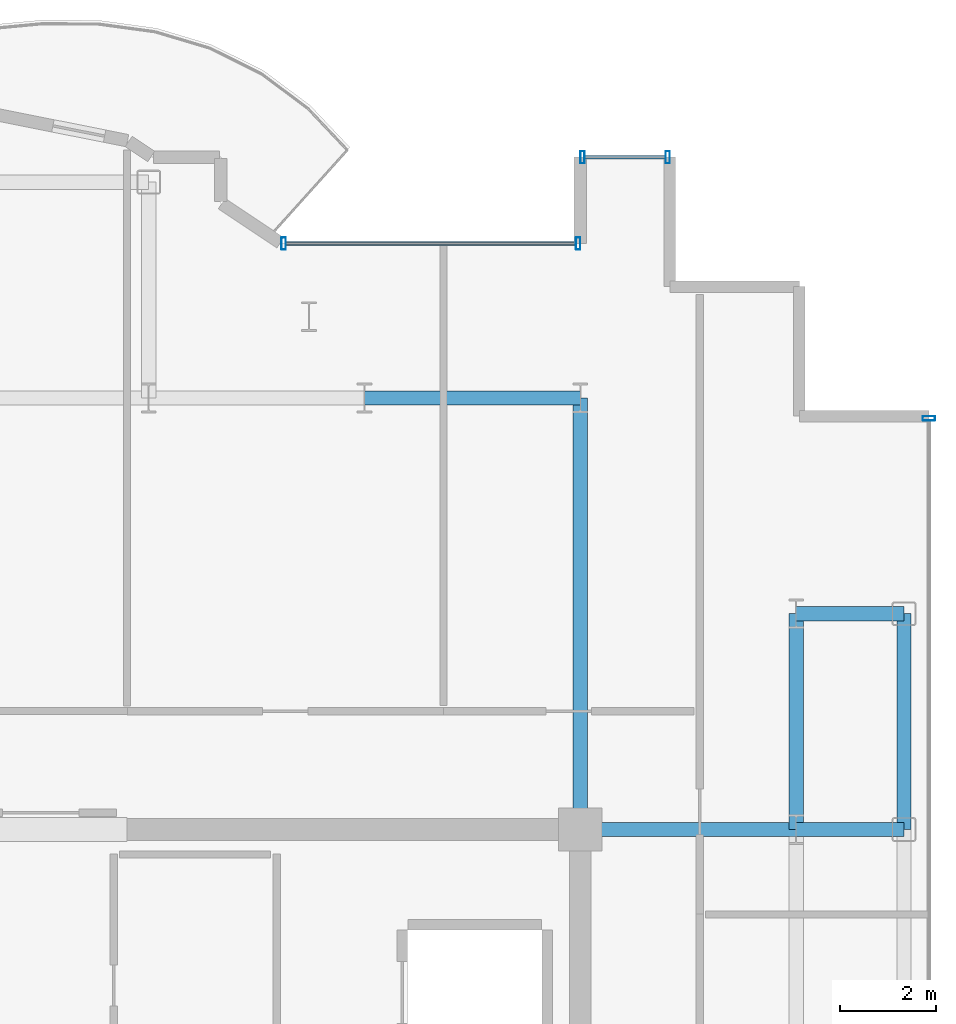
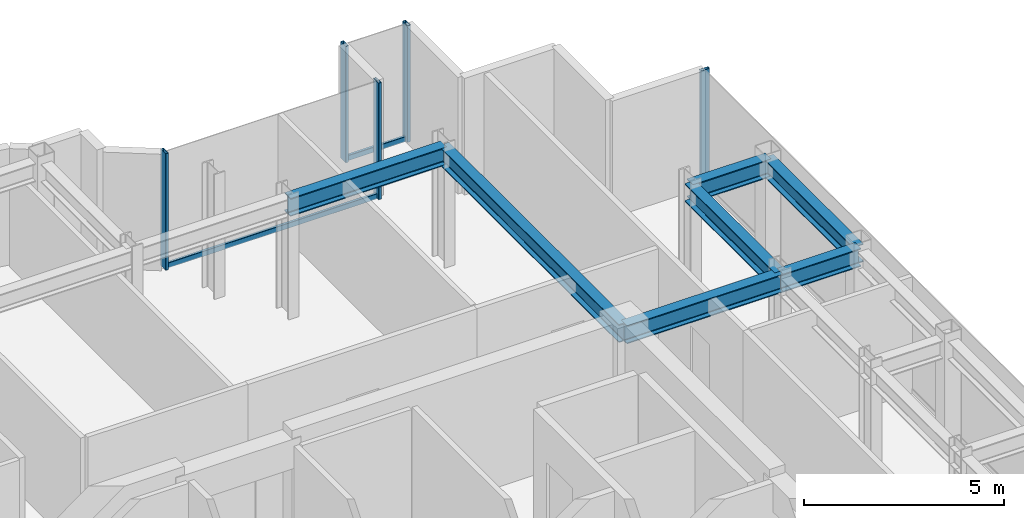
# One storey, part 11 of 18: 7 beams, 7 members, 3 elements without a shape of their own.
"""IFC4 building model written with IfcOpenShell, lengths in metres."""

from ifc_helpers import new_model, si_unit, direction, frame, origin, origin_2d, place, context, subcontext, project, spatial, hollow_rectangle, i_section, extrude, source, transform, mapped, material, layer, layer_set, material_profile, profile_set, type_object, element, aggregate, save


model = new_model("IFC4")

# Units and contexts
model_context = context("Model", 3, precision=1e-05, world=origin(), true_north=direction((0.0, 1.0)))
body_context = subcontext(model_context, "Body", "Model", "MODEL_VIEW")
ifc_project = project(units=[si_unit("LENGTHUNIT", "METRE"), si_unit("AREAUNIT", "SQUARE_METRE"), si_unit("VOLUMEUNIT", "CUBIC_METRE"), si_unit("PLANEANGLEUNIT", "RADIAN"), si_unit("MASSUNIT", "GRAM", prefix="KILO")], contexts=[model_context])

# Site, building, storey
site_placement = place(None, origin())
site = spatial("IfcSite", under=ifc_project, at=site_placement, CompositionType="ELEMENT")
building_placement = place(site_placement, origin())
building = spatial("IfcBuilding", under=site, at=building_placement, Name="Nefas-Gora Pilgrimage Tower", CompositionType="ELEMENT")
storey_placement = place(building_placement, frame((0.0, 0.0, 302.60009765625)))
storey = spatial("IfcBuildingStorey", under=building, at=storey_placement, Name="L76", CompositionType="ELEMENT", Elevation=302.60009765625)

# Beams
ifc_material_1 = material(Name="Steel S355", Category="steel")
ifc_material_profile_1 = material_profile(ifc_material_1, i_section(OverallWidth=0.300048828125, OverallDepth=0.550048828125, WebThickness=0.014892578125, FlangeThickness=0.029052734375, FilletRadius=0.027099609375, at=origin_2d()), Name="HEB 550")
ifc_profile_set_1 = profile_set([ifc_material_profile_1], Name="Steel S355")
beam_type_1 = type_object("IfcBeamType", Name="BM-SPN-HEB400", PredefinedType="SPANDREL", material=ifc_profile_set_1)
shared_shape_1 = source(origin(), body_context, "Body", "SweptSolid", [
    extrude(i_section(OverallWidth=0.300048828125, OverallDepth=0.550048828125, WebThickness=0.014892578125, FlangeThickness=0.029052734375, FilletRadius=0.027099609375, at=origin_2d()), origin(), (0.0, 0.0, 1.0), 4.5),
])
beam_1_placement = place(storey_placement, frame((18.0, 9.0, 3.27490234375), z_axis=(0.0, 1.0, 0.0), x_axis=(-1.0, 0.0, 0.0)))
element("IfcBeam", 1, at=beam_1_placement, inside=storey, type_object=beam_type_1, Name="L76 SP-04 beam", PredefinedType="SPANDREL", context=body_context, shape_type="MappedRepresentation", body=[
    mapped(shared_shape_1, transform((0.0, 0.0, 0.0), x_axis=(1.0, 0.0, 0.0), y_axis=(0.0, 1.0, 0.0), z_axis=(0.0, 0.0, 1.0), scale=1.0)),
])
ifc_material_profile_2 = material_profile(ifc_material_1, i_section(OverallWidth=0.300048828125, OverallDepth=0.550048828125, WebThickness=0.014892578125, FlangeThickness=0.029052734375, FilletRadius=0.027099609375, at=origin_2d()), Name="HEB 550")
ifc_profile_set_2 = profile_set([ifc_material_profile_2], Name="Steel S355")
beam_type_2 = type_object("IfcBeamType", Name="BM-GIR-HEB550", PredefinedType="BEAM", material=ifc_profile_set_2)
shared_shape_2 = source(origin(), body_context, "Body", "SweptSolid", [
    extrude(i_section(OverallWidth=0.300048828125, OverallDepth=0.550048828125, WebThickness=0.014892578125, FlangeThickness=0.029052734375, FilletRadius=0.027099609375, at=origin_2d()), origin(), (0.0, 0.0, 1.0), 9.0),
])
beam_2_placement = place(storey_placement, frame((11.25, 9.0, 3.27490234375), z_axis=(0.0, 1.0, 0.0), x_axis=(-1.0, 0.0, 0.0)))
element("IfcBeam", 2, at=beam_2_placement, inside=storey, type_object=beam_type_2, Name="L76 G-05 beam", PredefinedType="BEAM", context=body_context, shape_type="MappedRepresentation", body=[
    mapped(shared_shape_2, transform((0.0, 0.0, 0.0), x_axis=(1.0, 0.0, 0.0), y_axis=(0.0, 1.0, 0.0), z_axis=(0.0, 0.0, 1.0), scale=1.0)),
])
shared_shape_3 = source(origin(), body_context, "Body", "SweptSolid", [
    extrude(i_section(OverallWidth=0.300048828125, OverallDepth=0.550048828125, WebThickness=0.014892578125, FlangeThickness=0.029052734375, FilletRadius=0.027099609375, at=origin_2d()), origin(), (0.0, 0.0, 1.0), 4.5),
])
for number, where, z_axis, x_axis, name in (
    (3, (6.75, 18.0, 3.27490234375), (1.0, 0.0, 0.0), (0.0, 1.0, 0.0), "L76 G-05 beam"),
    (4, (11.25, 9.0, 3.27490234375), (1.0, 0.0, 0.0), (0.0, 1.0, 0.0), "L76 G-05 beam"),
    (5, (15.75, 9.0, 3.27490234375), (0.0, 1.0, 0.0), (-1.0, 0.0, 0.0), "L76 G-05 beam"),
):
    element("IfcBeam", number, at=place(storey_placement, frame(where, z_axis=z_axis, x_axis=x_axis)), inside=storey, type_object=beam_type_2, Name=name, PredefinedType="BEAM", context=body_context, shape_type="MappedRepresentation", body=[
        mapped(shared_shape_3, transform((0.0, 0.0, 0.0), x_axis=(1.0, 0.0, 0.0), y_axis=(0.0, 1.0, 0.0), z_axis=(0.0, 0.0, 1.0), scale=1.0)),
    ])
shared_shape_4 = source(origin(), body_context, "Body", "SweptSolid", [
    extrude(i_section(OverallWidth=0.300048828125, OverallDepth=0.550048828125, WebThickness=0.014892578125, FlangeThickness=0.029052734375, FilletRadius=0.027099609375, at=origin_2d()), origin(), (0.0, 0.0, 1.0), 2.25),
])
for number, where, z_axis, x_axis, name in (
    (6, (15.75, 9.0, 3.27490234375), (1.0, 0.0, 0.0), (0.0, 1.0, 0.0), "L76 G-05 beam"),
    (7, (15.75, 13.5, 3.27490234375), (1.0, 0.0, 0.0), (0.0, 1.0, 0.0), "L76 G-05 beam"),
):
    element("IfcBeam", number, at=place(storey_placement, frame(where, z_axis=z_axis, x_axis=x_axis)), inside=storey, type_object=beam_type_2, Name=name, PredefinedType="BEAM", context=body_context, shape_type="MappedRepresentation", body=[
        mapped(shared_shape_4, transform((0.0, 0.0, 0.0), x_axis=(1.0, 0.0, 0.0), y_axis=(0.0, 1.0, 0.0), z_axis=(0.0, 0.0, 1.0), scale=1.0)),
    ])

# Curtain wall, members
ifc_material_2 = material(Name="Dark ceramic-fritted solar-control aluminium-glass curtain wall", Category="aluminium")
ifc_layer_1 = layer(ifc_material_2, 0.219970703125)
ifc_layer_set_1 = layer_set([ifc_layer_1], Name="Dark ceramic-fritted solar-control aluminium-glass curtain wall")
curtain_wall_type_1 = type_object("IfcCurtainWallType", Name="CW-SYS-5", PredefinedType="NOTDEFINED", material=ifc_layer_set_1)
curtain_wall_1_placement = place(storey_placement, origin())
curtain_wall_1 = element("IfcCurtainWall", 8, at=curtain_wall_1_placement, inside=storey, type_object=curtain_wall_type_1, Name="L76 Unitised Curtain Wall CW5", PredefinedType="NOTDEFINED")
ifc_material_3 = material(Name="Anodised architectural aluminium", Category="aluminium")
ifc_material_profile_3 = material_profile(ifc_material_3, hollow_rectangle(XDim=0.080078125, YDim=0.159912109375, WallThickness=0.00439453125, InnerFilletRadius=0.00439453125, OuterFilletRadius=0.009033203125, at=origin_2d()), Name="ALU TRANSOM 80x160")
ifc_profile_set_3 = profile_set([ifc_material_profile_3], Name="Anodised architectural aluminium")
member_type_1 = type_object("IfcMemberType", Name="CWM-TRN-5", PredefinedType="USERDEFINED", material=ifc_profile_set_3)
shared_shape_5 = source(origin(), body_context, "Body", "SweptSolid", [
    extrude(hollow_rectangle(XDim=0.080078125, YDim=0.159912109375, WallThickness=0.00439453125, InnerFilletRadius=0.00439453125, OuterFilletRadius=0.009033203125, at=origin_2d()), origin(), (0.0, 0.0, 1.0), 6.052001953125),
])
member_1_placement = place(storey_placement, frame((11.159912109375, 21.219970703125, 0.0498046875), z_axis=(-1.0, 0.0, 0.0), x_axis=(0.0, -1.0, 0.0)))
member_1 = element("IfcMember", 9, at=member_1_placement, type_object=member_type_1, Name="CW5 Spandrel Transom", ObjectType="TRANSOM", PredefinedType="USERDEFINED", context=body_context, shape_type="MappedRepresentation", body=[
    mapped(shared_shape_5, transform((0.0, 0.0, 0.0), x_axis=(1.0, 0.0, 0.0), y_axis=(0.0, 1.0, 0.0), z_axis=(0.0, 0.0, 1.0), scale=1.0)),
])
ifc_material_profile_4 = material_profile(ifc_material_3, hollow_rectangle(XDim=0.090087890625, YDim=0.260009765625, WallThickness=0.006103515625, InnerFilletRadius=0.006103515625, OuterFilletRadius=0.011962890625, at=origin_2d()), Name="ALU MULLION 90x260")
ifc_profile_set_4 = profile_set([ifc_material_profile_4], Name="Anodised architectural aluminium")
member_type_2 = type_object("IfcMemberType", Name="CWM-MUL-5", PredefinedType="MULLION", material=ifc_profile_set_4)
shared_shape_6 = source(origin(), body_context, "Body", "SweptSolid", [
    extrude(hollow_rectangle(XDim=0.090087890625, YDim=0.260009765625, WallThickness=0.006103515625, InnerFilletRadius=0.006103515625, OuterFilletRadius=0.011962890625, at=origin_2d()), origin(), (0.0, 0.0, 1.0), 3.5498046875),
])
member_2_placement = place(storey_placement, frame((11.205078125, 21.219970703125, 0.0), z_axis=(0.0, 0.0, 1.0), x_axis=(-1.0, 0.0, 0.0)))
member_2 = element("IfcMember", 10, at=member_2_placement, type_object=member_type_2, Name="CW5 Mullion 1", PredefinedType="MULLION", context=body_context, shape_type="MappedRepresentation", body=[
    mapped(shared_shape_6, transform((0.0, 0.0, 0.0), x_axis=(1.0, 0.0, 0.0), y_axis=(0.0, 1.0, 0.0), z_axis=(0.0, 0.0, 1.0), scale=1.0)),
])
member_3_placement = place(storey_placement, frame((5.06298828125, 21.219970703125, 0.0), z_axis=(0.0, 0.0, 1.0), x_axis=(-1.0, 0.0, 0.0)))
member_3 = element("IfcMember", 11, at=member_3_placement, type_object=member_type_2, Name="CW5 Mullion 2", PredefinedType="MULLION", context=body_context, shape_type="MappedRepresentation", body=[
    mapped(shared_shape_6, transform((0.0, 0.0, 0.0), x_axis=(1.0, 0.0, 0.0), y_axis=(0.0, 1.0, 0.0), z_axis=(0.0, 0.0, 1.0), scale=1.0)),
])
aggregate(curtain_wall_1, [member_2, member_3, member_1])

# Curtain wall, member
ifc_layer_2 = layer(ifc_material_2, 0.219970703125)
ifc_layer_set_2 = layer_set([ifc_layer_2], Name="Dark ceramic-fritted solar-control aluminium-glass curtain wall")
curtain_wall_type_2 = type_object("IfcCurtainWallType", Name="CW-SYS-4", PredefinedType="NOTDEFINED", material=ifc_layer_set_2)
curtain_wall_2_placement = place(storey_placement, origin())
curtain_wall_2 = element("IfcCurtainWall", 12, at=curtain_wall_2_placement, inside=storey, type_object=curtain_wall_type_2, Name="L76 Unitised Curtain Wall CW4", PredefinedType="NOTDEFINED")
ifc_material_profile_5 = material_profile(ifc_material_3, hollow_rectangle(XDim=0.090087890625, YDim=0.260009765625, WallThickness=0.006103515625, InnerFilletRadius=0.006103515625, OuterFilletRadius=0.011962890625, at=origin_2d()), Name="ALU MULLION 90x260")
ifc_profile_set_5 = profile_set([ifc_material_profile_5], Name="Anodised architectural aluminium")
member_type_3 = type_object("IfcMemberType", Name="CWM-MUL-4", PredefinedType="MULLION", material=ifc_profile_set_5)
shared_shape_7 = source(origin(), body_context, "Body", "SweptSolid", [
    extrude(hollow_rectangle(XDim=0.090087890625, YDim=0.260009765625, WallThickness=0.006103515625, InnerFilletRadius=0.006103515625, OuterFilletRadius=0.011962890625, at=origin_2d()), origin(), (0.0, 0.0, 1.0), 3.5498046875),
])
member_4_placement = place(storey_placement, frame((18.52001953125, 17.574951171875, 0.0), z_axis=(0.0, 0.0, 1.0), x_axis=(0.0, 1.0, 0.0)))
member_4 = element("IfcMember", 13, at=member_4_placement, type_object=member_type_3, Name="CW4 Mullion 3", PredefinedType="MULLION", context=body_context, shape_type="MappedRepresentation", body=[
    mapped(shared_shape_7, transform((0.0, 0.0, 0.0), x_axis=(1.0, 0.0, 0.0), y_axis=(0.0, 1.0, 0.0), z_axis=(0.0, 0.0, 1.0), scale=1.0)),
])
aggregate(curtain_wall_2, [member_4])

# Curtain wall, members
curtain_wall_3_placement = place(storey_placement, origin())
curtain_wall_3 = element("IfcCurtainWall", 14, at=curtain_wall_3_placement, inside=storey, type_object=curtain_wall_type_2, Name="L76 Unitised Curtain Wall CW4", PredefinedType="NOTDEFINED")
member_5_placement = place(storey_placement, frame((13.074951171875, 23.02001953125, 0.0), z_axis=(0.0, 0.0, 1.0), x_axis=(-1.0, 0.0, 0.0)))
member_5 = element("IfcMember", 15, at=member_5_placement, type_object=member_type_3, Name="CW4 Mullion 1", PredefinedType="MULLION", context=body_context, shape_type="MappedRepresentation", body=[
    mapped(shared_shape_7, transform((0.0, 0.0, 0.0), x_axis=(1.0, 0.0, 0.0), y_axis=(0.0, 1.0, 0.0), z_axis=(0.0, 0.0, 1.0), scale=1.0)),
])
member_6_placement = place(storey_placement, frame((11.294921875, 23.02001953125, 0.0), z_axis=(0.0, 0.0, 1.0), x_axis=(-1.0, 0.0, 0.0)))
member_6 = element("IfcMember", 16, at=member_6_placement, type_object=member_type_3, Name="CW4 Mullion 2", PredefinedType="MULLION", context=body_context, shape_type="MappedRepresentation", body=[
    mapped(shared_shape_7, transform((0.0, 0.0, 0.0), x_axis=(1.0, 0.0, 0.0), y_axis=(0.0, 1.0, 0.0), z_axis=(0.0, 0.0, 1.0), scale=1.0)),
])
ifc_material_profile_6 = material_profile(ifc_material_3, hollow_rectangle(XDim=0.080078125, YDim=0.159912109375, WallThickness=0.00439453125, InnerFilletRadius=0.00439453125, OuterFilletRadius=0.009033203125, at=origin_2d()), Name="ALU TRANSOM 80x160")
ifc_profile_set_6 = profile_set([ifc_material_profile_6], Name="Anodised architectural aluminium")
member_type_4 = type_object("IfcMemberType", Name="CWM-TRN-4", PredefinedType="USERDEFINED", material=ifc_profile_set_6)
shared_shape_8 = source(origin(), body_context, "Body", "SweptSolid", [
    extrude(hollow_rectangle(XDim=0.080078125, YDim=0.159912109375, WallThickness=0.00439453125, InnerFilletRadius=0.00439453125, OuterFilletRadius=0.009033203125, at=origin_2d()), origin(), (0.0, 0.0, 1.0), 1.68994140625),
])
member_7_placement = place(storey_placement, frame((13.030029296875, 23.02001953125, 0.0498046875), z_axis=(-1.0, 0.0, 0.0), x_axis=(0.0, -1.0, 0.0)))
member_7 = element("IfcMember", 17, at=member_7_placement, type_object=member_type_4, Name="CW4 Spandrel Transom", ObjectType="TRANSOM", PredefinedType="USERDEFINED", context=body_context, shape_type="MappedRepresentation", body=[
    mapped(shared_shape_8, transform((0.0, 0.0, 0.0), x_axis=(1.0, 0.0, 0.0), y_axis=(0.0, 1.0, 0.0), z_axis=(0.0, 0.0, 1.0), scale=1.0)),
])
aggregate(curtain_wall_3, [member_5, member_6, member_7])

save(model, "model.ifc")
